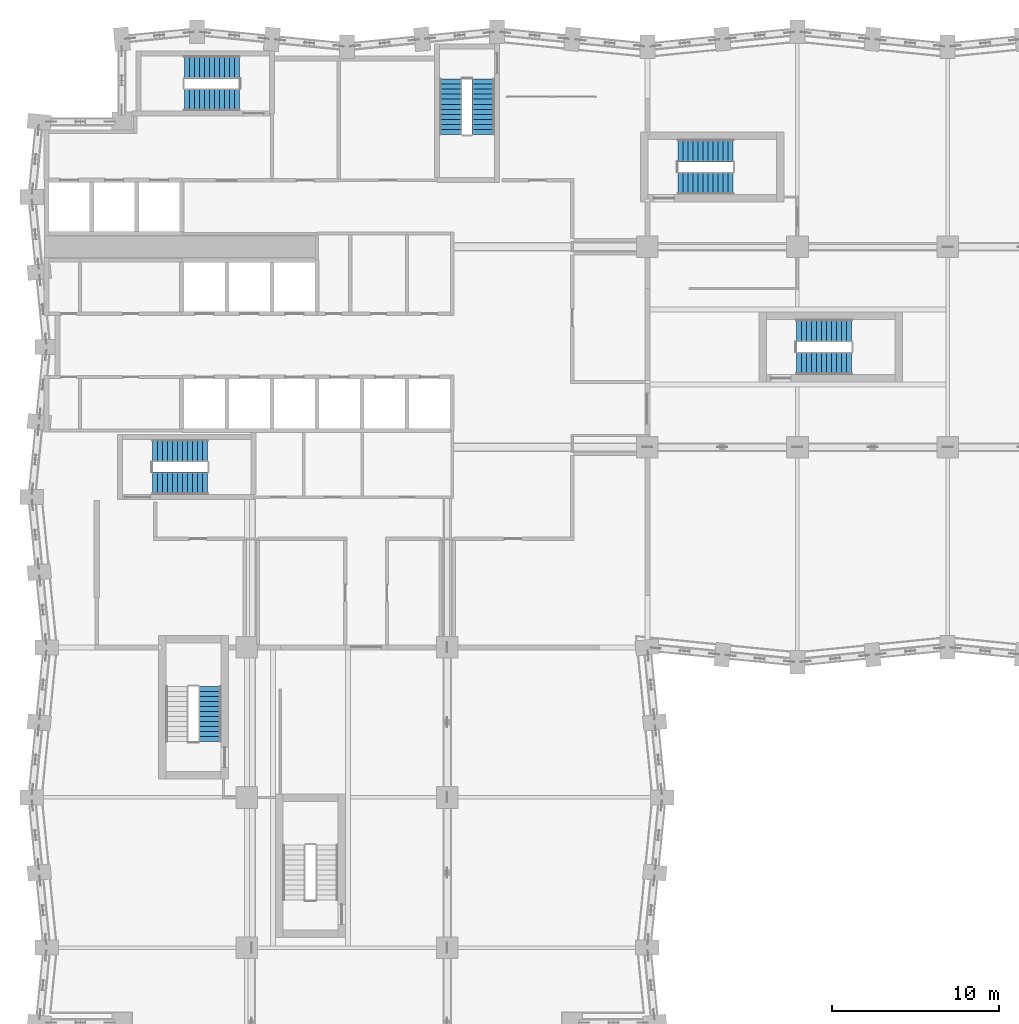
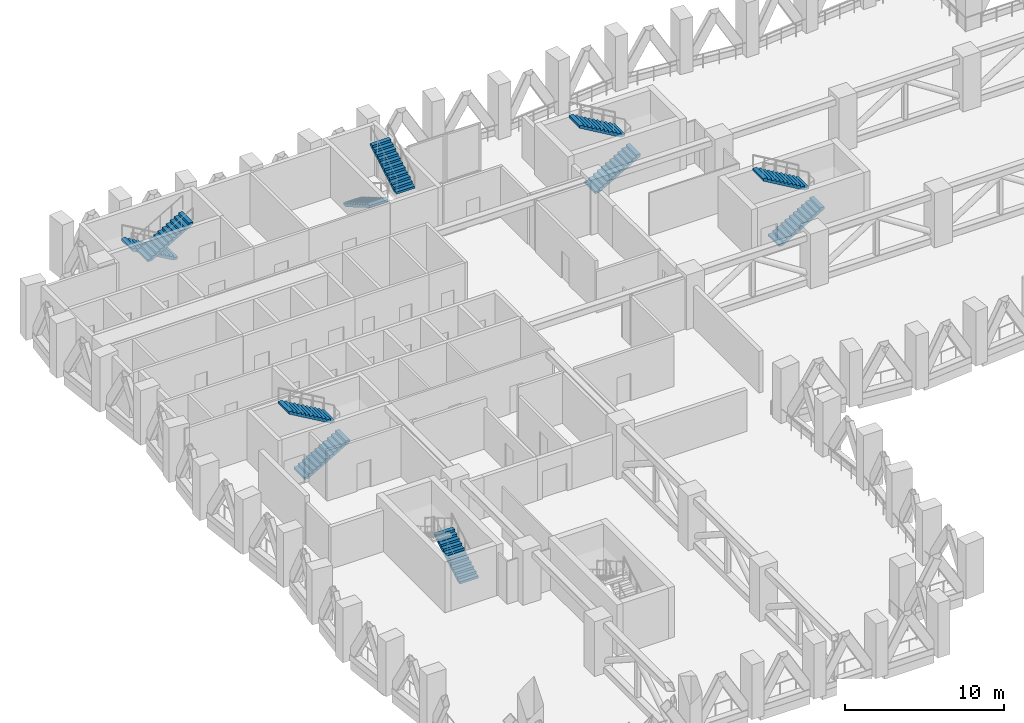
# One storey, part 17 of 25: 11 stair flights, 6 elements without a shape of their own.
"""IFC4 building model written with IfcOpenShell, lengths in metres."""

from ifc_helpers import new_model, si_unit, direction, frame, origin, place, context, subcontext, project, spatial, polyline, outline, extrude, material, type_object, element, aggregate, save


model = new_model("IFC4")

# Units and contexts
model_context = context("Model", 3, precision=1e-05, world=origin(), true_north=direction((0.0, 1.0)))
body_context = subcontext(model_context, "Body", "Model", "MODEL_VIEW")
ifc_project = project(units=[si_unit("LENGTHUNIT", "METRE"), si_unit("AREAUNIT", "SQUARE_METRE"), si_unit("VOLUMEUNIT", "CUBIC_METRE"), si_unit("PLANEANGLEUNIT", "RADIAN"), si_unit("MASSUNIT", "GRAM", prefix="KILO")], contexts=[model_context])

# Site, building, storey
site_placement = place(None, origin())
site = spatial("IfcSite", under=ifc_project, at=site_placement, CompositionType="ELEMENT")
building_placement = place(site_placement, origin())
building = spatial("IfcBuilding", under=site, at=building_placement, Name="Brondeck Convention Tower", CompositionType="ELEMENT")
storey_placement = place(building_placement, frame((0.0, 0.0, 84.300048828125)))
storey = spatial("IfcBuildingStorey", under=building, at=storey_placement, Name="L19", CompositionType="ELEMENT", Elevation=84.300048828125)

# Stair, stair flights
ifc_material = material(Name="Precast concrete C50/60", Category="concrete")
stair_type = type_object("IfcStairType", Name="Core stair 24 risers 175.00 mm riser 300 mm going 1350 wide", PredefinedType="HALF_TURN_STAIR", material=ifc_material)
stair_1_placement = place(storey_placement, origin())
stair_1 = element("IfcStair", 1, at=stair_1_placement, inside=storey, type_object=stair_type, Name="ST-1 L19 stair", PredefinedType="HALF_TURN_STAIR")
stair_flight_type = type_object("IfcStairFlightType", Name="Core stair flight 24 risers 175.00 mm riser 300 mm going 1350 wide", PredefinedType="STRAIGHT", material=ifc_material)
stair_flight_1_placement = place(storey_placement, frame((6.35009765625, 36.824951171875, 0.0), z_axis=(0.0, 0.0, 1.0), x_axis=(1.0, 0.0, 0.0)))
stair_flight_1 = element("IfcStairFlight", 2, at=stair_flight_1_placement, type_object=stair_flight_type, Name="ST-1 flight 1", NumberOfRisers=12, NumberOfTreads=11, PredefinedType="STRAIGHT", RiserHeight=0.175, TreadLength=0.3, context=body_context, shape_type="SweptSolid", body=[
    extrude(outline(polyline([(0.0, 0.0), (0.0, 0.175048828125), (0.300048828125, 0.175048828125), (0.300048828125, 0.35009765625), (0.60009765625, 0.35009765625), (0.60009765625, 0.52490234375), (0.89990234375, 0.52490234375), (0.89990234375, 0.699951171875), (1.199951171875, 0.699951171875), (1.199951171875, 0.875), (1.5, 0.875), (1.5, 1.050048828125), (1.800048828125, 1.050048828125), (1.800048828125, 1.22509765625), (2.10009765625, 1.22509765625), (2.10009765625, 1.39990234375), (2.39990234375, 1.39990234375), (2.39990234375, 1.574951171875), (2.699951171875, 1.574951171875), (2.699951171875, 1.75), (3.0, 1.75), (3.0, 1.925048828125), (3.300048828125, 1.925048828125), (3.300048828125, 2.10009765625), (3.300048828125, 1.75146484375), (0.297607421875, 0.0), (0.0, 0.0)])), frame((0.0, 0.675048828125, 0.0), z_axis=(0.0, -1.0, 0.0), x_axis=(1.0, 0.0, 0.0)), (0.0, 0.0, 1.0), 1.35009765625),
])
stair_flight_2_placement = place(storey_placement, frame((9.64990234375, 38.77490234375, 2.099853515625), z_axis=(0.0, 0.0, 1.0), x_axis=(-1.0, 0.0, 0.0)))
stair_flight_2 = element("IfcStairFlight", 3, at=stair_flight_2_placement, type_object=stair_flight_type, Name="ST-1 flight 2", NumberOfRisers=12, NumberOfTreads=11, PredefinedType="STRAIGHT", RiserHeight=0.175, TreadLength=0.3, context=body_context, shape_type="SweptSolid", body=[
    extrude(outline(polyline([(0.0, 0.0), (0.0, 0.175048828125), (0.300048828125, 0.175048828125), (0.300048828125, 0.35009765625), (0.60009765625, 0.35009765625), (0.60009765625, 0.52490234375), (0.89990234375, 0.52490234375), (0.89990234375, 0.699951171875), (1.199951171875, 0.699951171875), (1.199951171875, 0.875), (1.5, 0.875), (1.5, 1.050048828125), (1.800048828125, 1.050048828125), (1.800048828125, 1.22509765625), (2.10009765625, 1.22509765625), (2.10009765625, 1.39990234375), (2.39990234375, 1.39990234375), (2.39990234375, 1.574951171875), (2.699951171875, 1.574951171875), (2.699951171875, 1.75), (3.0, 1.75), (3.0, 1.925048828125), (3.300048828125, 1.925048828125), (3.300048828125, 2.10009765625), (3.300048828125, 1.75146484375), (0.297607421875, 0.0), (0.0, 0.0)])), frame((0.0, 0.675048828125, 0.0), z_axis=(0.0, -1.0, 0.0), x_axis=(1.0, 0.0, 0.0)), (0.0, 0.0, 1.0), 1.35009765625),
])
aggregate(stair_1, [stair_flight_1, stair_flight_2])

stair_2_placement = place(storey_placement, origin())
stair_2 = element("IfcStair", 4, at=stair_2_placement, inside=storey, type_object=stair_type, Name="ST-2 L19 stair", PredefinedType="HALF_TURN_STAIR")
stair_flight_3_placement = place(storey_placement, frame((24.22509765625, 61.050048828125, 0.0), z_axis=(0.0, 0.0, 1.0), x_axis=(0.0, -1.0, 0.0)))
stair_flight_3 = element("IfcStairFlight", 5, at=stair_flight_3_placement, type_object=stair_flight_type, Name="ST-2 flight 1", NumberOfRisers=12, NumberOfTreads=11, PredefinedType="STRAIGHT", RiserHeight=0.175, TreadLength=0.3, context=body_context, shape_type="SweptSolid", body=[
    extrude(outline(polyline([(0.0, 0.0), (0.0, 0.175048828125), (0.300048828125, 0.175048828125), (0.300048828125, 0.35009765625), (0.60009765625, 0.35009765625), (0.60009765625, 0.52490234375), (0.89990234375, 0.52490234375), (0.89990234375, 0.699951171875), (1.199951171875, 0.699951171875), (1.199951171875, 0.875), (1.5, 0.875), (1.5, 1.050048828125), (1.800048828125, 1.050048828125), (1.800048828125, 1.22509765625), (2.10009765625, 1.22509765625), (2.10009765625, 1.39990234375), (2.39990234375, 1.39990234375), (2.39990234375, 1.574951171875), (2.699951171875, 1.574951171875), (2.699951171875, 1.75), (3.0, 1.75), (3.0, 1.925048828125), (3.300048828125, 1.925048828125), (3.300048828125, 2.10009765625), (3.300048828125, 1.75146484375), (0.297607421875, 0.0), (0.0, 0.0)])), frame((0.0, 0.675048828125, 0.0), z_axis=(0.0, -1.0, 0.0), x_axis=(1.0, 0.0, 0.0)), (0.0, 0.0, 1.0), 1.35009765625),
])
stair_flight_4_placement = place(storey_placement, frame((26.175048828125, 57.75, 2.099853515625), z_axis=(0.0, 0.0, 1.0), x_axis=(0.0, 1.0, 0.0)))
stair_flight_4 = element("IfcStairFlight", 6, at=stair_flight_4_placement, type_object=stair_flight_type, Name="ST-2 flight 2", NumberOfRisers=12, NumberOfTreads=11, PredefinedType="STRAIGHT", RiserHeight=0.175, TreadLength=0.3, context=body_context, shape_type="SweptSolid", body=[
    extrude(outline(polyline([(0.0, 0.0), (0.0, 0.175048828125), (0.300048828125, 0.175048828125), (0.300048828125, 0.35009765625), (0.60009765625, 0.35009765625), (0.60009765625, 0.52490234375), (0.89990234375, 0.52490234375), (0.89990234375, 0.699951171875), (1.199951171875, 0.699951171875), (1.199951171875, 0.875), (1.5, 0.875), (1.5, 1.050048828125), (1.800048828125, 1.050048828125), (1.800048828125, 1.22509765625), (2.10009765625, 1.22509765625), (2.10009765625, 1.39990234375), (2.39990234375, 1.39990234375), (2.39990234375, 1.574951171875), (2.699951171875, 1.574951171875), (2.699951171875, 1.75), (3.0, 1.75), (3.0, 1.925048828125), (3.300048828125, 1.925048828125), (3.300048828125, 2.10009765625), (3.300048828125, 1.75146484375), (0.297607421875, 0.0), (0.0, 0.0)])), frame((0.0, 0.675048828125, 0.0), z_axis=(0.0, -1.0, 0.0), x_axis=(1.0, 0.0, 0.0)), (0.0, 0.0, 1.0), 1.35009765625),
])
aggregate(stair_2, [stair_flight_3, stair_flight_4])

stair_3_placement = place(storey_placement, origin())
stair_3 = element("IfcStair", 7, at=stair_3_placement, inside=storey, type_object=stair_type, Name="ST-3 L19 stair", PredefinedType="HALF_TURN_STAIR")
stair_flight_5_placement = place(storey_placement, frame((11.550048828125, 61.77490234375, 0.0), z_axis=(0.0, 0.0, 1.0), x_axis=(-1.0, 0.0, 0.0)))
stair_flight_5 = element("IfcStairFlight", 8, at=stair_flight_5_placement, type_object=stair_flight_type, Name="ST-3 flight 1", NumberOfRisers=12, NumberOfTreads=11, PredefinedType="STRAIGHT", RiserHeight=0.175, TreadLength=0.3, context=body_context, shape_type="SweptSolid", body=[
    extrude(outline(polyline([(0.0, 0.0), (0.0, 0.175048828125), (0.300048828125, 0.175048828125), (0.300048828125, 0.35009765625), (0.60009765625, 0.35009765625), (0.60009765625, 0.52490234375), (0.89990234375, 0.52490234375), (0.89990234375, 0.699951171875), (1.199951171875, 0.699951171875), (1.199951171875, 0.875), (1.5, 0.875), (1.5, 1.050048828125), (1.800048828125, 1.050048828125), (1.800048828125, 1.22509765625), (2.10009765625, 1.22509765625), (2.10009765625, 1.39990234375), (2.39990234375, 1.39990234375), (2.39990234375, 1.574951171875), (2.699951171875, 1.574951171875), (2.699951171875, 1.75), (3.0, 1.75), (3.0, 1.925048828125), (3.300048828125, 1.925048828125), (3.300048828125, 2.10009765625), (3.300048828125, 1.75146484375), (0.297607421875, 0.0), (0.0, 0.0)])), frame((0.0, 0.675048828125, 0.0), z_axis=(0.0, -1.0, 0.0), x_axis=(1.0, 0.0, 0.0)), (0.0, 0.0, 1.0), 1.35009765625),
])
stair_flight_6_placement = place(storey_placement, frame((8.25, 59.824951171875, 2.099853515625), z_axis=(0.0, 0.0, 1.0), x_axis=(1.0, 0.0, 0.0)))
stair_flight_6 = element("IfcStairFlight", 9, at=stair_flight_6_placement, type_object=stair_flight_type, Name="ST-3 flight 2", NumberOfRisers=12, NumberOfTreads=11, PredefinedType="STRAIGHT", RiserHeight=0.175, TreadLength=0.3, context=body_context, shape_type="SweptSolid", body=[
    extrude(outline(polyline([(0.0, 0.0), (0.0, 0.175048828125), (0.300048828125, 0.175048828125), (0.300048828125, 0.35009765625), (0.60009765625, 0.35009765625), (0.60009765625, 0.52490234375), (0.89990234375, 0.52490234375), (0.89990234375, 0.699951171875), (1.199951171875, 0.699951171875), (1.199951171875, 0.875), (1.5, 0.875), (1.5, 1.050048828125), (1.800048828125, 1.050048828125), (1.800048828125, 1.22509765625), (2.10009765625, 1.22509765625), (2.10009765625, 1.39990234375), (2.39990234375, 1.39990234375), (2.39990234375, 1.574951171875), (2.699951171875, 1.574951171875), (2.699951171875, 1.75), (3.0, 1.75), (3.0, 1.925048828125), (3.300048828125, 1.925048828125), (3.300048828125, 2.10009765625), (3.300048828125, 1.75146484375), (0.297607421875, 0.0), (0.0, 0.0)])), frame((0.0, 0.675048828125, 0.0), z_axis=(0.0, -1.0, 0.0), x_axis=(1.0, 0.0, 0.0)), (0.0, 0.0, 1.0), 1.35009765625),
])
aggregate(stair_3, [stair_flight_5, stair_flight_6])

stair_4_placement = place(storey_placement, origin())
stair_4 = element("IfcStair", 10, at=stair_4_placement, inside=storey, type_object=stair_type, Name="ST-AE L19 stair", PredefinedType="HALF_TURN_STAIR")
stair_flight_7_placement = place(storey_placement, frame((37.85009765625, 54.824951171875, 0.0), z_axis=(0.0, 0.0, 1.0), x_axis=(1.0, 0.0, 0.0)))
stair_flight_7 = element("IfcStairFlight", 11, at=stair_flight_7_placement, type_object=stair_flight_type, Name="ST-AE flight 1", NumberOfRisers=12, NumberOfTreads=11, PredefinedType="STRAIGHT", RiserHeight=0.175, TreadLength=0.3, context=body_context, shape_type="SweptSolid", body=[
    extrude(outline(polyline([(0.0, 0.0), (0.0, 0.175048828125), (0.300048828125, 0.175048828125), (0.300048828125, 0.35009765625), (0.60009765625, 0.35009765625), (0.60009765625, 0.52490234375), (0.89990234375, 0.52490234375), (0.89990234375, 0.699951171875), (1.199951171875, 0.699951171875), (1.199951171875, 0.875), (1.5, 0.875), (1.5, 1.050048828125), (1.800048828125, 1.050048828125), (1.800048828125, 1.22509765625), (2.10009765625, 1.22509765625), (2.10009765625, 1.39990234375), (2.39990234375, 1.39990234375), (2.39990234375, 1.574951171875), (2.699951171875, 1.574951171875), (2.699951171875, 1.75), (3.0, 1.75), (3.0, 1.925048828125), (3.300048828125, 1.925048828125), (3.300048828125, 2.10009765625), (3.300048828125, 1.75146484375), (0.297607421875, 0.0), (0.0, 0.0)])), frame((0.0, 0.675048828125, 0.0), z_axis=(0.0, -1.0, 0.0), x_axis=(1.0, 0.0, 0.0)), (0.0, 0.0, 1.0), 1.35009765625),
])
stair_flight_8_placement = place(storey_placement, frame((41.14990234375, 56.77490234375, 2.099853515625), z_axis=(0.0, 0.0, 1.0), x_axis=(-1.0, 0.0, 0.0)))
stair_flight_8 = element("IfcStairFlight", 12, at=stair_flight_8_placement, type_object=stair_flight_type, Name="ST-AE flight 2", NumberOfRisers=12, NumberOfTreads=11, PredefinedType="STRAIGHT", RiserHeight=0.175, TreadLength=0.3, context=body_context, shape_type="SweptSolid", body=[
    extrude(outline(polyline([(0.0, 0.0), (0.0, 0.175048828125), (0.300048828125, 0.175048828125), (0.300048828125, 0.35009765625), (0.60009765625, 0.35009765625), (0.60009765625, 0.52490234375), (0.89990234375, 0.52490234375), (0.89990234375, 0.699951171875), (1.199951171875, 0.699951171875), (1.199951171875, 0.875), (1.5, 0.875), (1.5, 1.050048828125), (1.800048828125, 1.050048828125), (1.800048828125, 1.22509765625), (2.10009765625, 1.22509765625), (2.10009765625, 1.39990234375), (2.39990234375, 1.39990234375), (2.39990234375, 1.574951171875), (2.699951171875, 1.574951171875), (2.699951171875, 1.75), (3.0, 1.75), (3.0, 1.925048828125), (3.300048828125, 1.925048828125), (3.300048828125, 2.10009765625), (3.300048828125, 1.75146484375), (0.297607421875, 0.0), (0.0, 0.0)])), frame((0.0, 0.675048828125, 0.0), z_axis=(0.0, -1.0, 0.0), x_axis=(1.0, 0.0, 0.0)), (0.0, 0.0, 1.0), 1.35009765625),
])
aggregate(stair_4, [stair_flight_7, stair_flight_8])

# Stair, stair flight
stair_5_placement = place(storey_placement, origin())
stair_5 = element("IfcStair", 13, at=stair_5_placement, inside=storey, type_object=stair_type, Name="ST-BE L19 stair", PredefinedType="HALF_TURN_STAIR")
stair_flight_9_placement = place(storey_placement, frame((9.77490234375, 21.35009765625, 0.0), z_axis=(0.0, 0.0, 1.0), x_axis=(0.0, 1.0, 0.0)))
stair_flight_9 = element("IfcStairFlight", 14, at=stair_flight_9_placement, type_object=stair_flight_type, Name="ST-BE flight 1", NumberOfRisers=12, NumberOfTreads=11, PredefinedType="STRAIGHT", RiserHeight=0.175, TreadLength=0.3, context=body_context, shape_type="SweptSolid", body=[
    extrude(outline(polyline([(0.0, 0.0), (0.0, 0.175048828125), (0.300048828125, 0.175048828125), (0.300048828125, 0.35009765625), (0.60009765625, 0.35009765625), (0.60009765625, 0.52490234375), (0.89990234375, 0.52490234375), (0.89990234375, 0.699951171875), (1.199951171875, 0.699951171875), (1.199951171875, 0.875), (1.5, 0.875), (1.5, 1.050048828125), (1.800048828125, 1.050048828125), (1.800048828125, 1.22509765625), (2.10009765625, 1.22509765625), (2.10009765625, 1.39990234375), (2.39990234375, 1.39990234375), (2.39990234375, 1.574951171875), (2.699951171875, 1.574951171875), (2.699951171875, 1.75), (3.0, 1.75), (3.0, 1.925048828125), (3.300048828125, 1.925048828125), (3.300048828125, 2.10009765625), (3.300048828125, 1.75146484375), (0.297607421875, 0.0), (0.0, 0.0)])), frame((0.0, 0.675048828125, 0.0), z_axis=(0.0, -1.0, 0.0), x_axis=(1.0, 0.0, 0.0)), (0.0, 0.0, 1.0), 1.35009765625),
])
aggregate(stair_5, [stair_flight_9])

# Stair, stair flights
stair_6_placement = place(storey_placement, origin())
stair_6 = element("IfcStair", 15, at=stair_6_placement, inside=storey, type_object=stair_type, Name="ST-AF L19 stair", PredefinedType="HALF_TURN_STAIR")
stair_flight_10_placement = place(storey_placement, frame((44.949951171875, 44.02490234375, 0.0), z_axis=(0.0, 0.0, 1.0), x_axis=(1.0, 0.0, 0.0)))
stair_flight_10 = element("IfcStairFlight", 16, at=stair_flight_10_placement, type_object=stair_flight_type, Name="ST-AF flight 1", NumberOfRisers=12, NumberOfTreads=11, PredefinedType="STRAIGHT", RiserHeight=0.175, TreadLength=0.3, context=body_context, shape_type="SweptSolid", body=[
    extrude(outline(polyline([(0.0, 0.0), (0.0, 0.175048828125), (0.300048828125, 0.175048828125), (0.300048828125, 0.35009765625), (0.60009765625, 0.35009765625), (0.60009765625, 0.52490234375), (0.89990234375, 0.52490234375), (0.89990234375, 0.699951171875), (1.199951171875, 0.699951171875), (1.199951171875, 0.875), (1.5, 0.875), (1.5, 1.050048828125), (1.800048828125, 1.050048828125), (1.800048828125, 1.22509765625), (2.10009765625, 1.22509765625), (2.10009765625, 1.39990234375), (2.39990234375, 1.39990234375), (2.39990234375, 1.574951171875), (2.699951171875, 1.574951171875), (2.699951171875, 1.75), (3.0, 1.75), (3.0, 1.925048828125), (3.300048828125, 1.925048828125), (3.300048828125, 2.10009765625), (3.300048828125, 1.75146484375), (0.297607421875, 0.0), (0.0, 0.0)])), frame((0.0, 0.675048828125, 0.0), z_axis=(0.0, -1.0, 0.0), x_axis=(1.0, 0.0, 0.0)), (0.0, 0.0, 1.0), 1.35009765625),
])
stair_flight_11_placement = place(storey_placement, frame((48.25, 45.97509765625, 2.099853515625), z_axis=(0.0, 0.0, 1.0), x_axis=(-1.0, 0.0, 0.0)))
stair_flight_11 = element("IfcStairFlight", 17, at=stair_flight_11_placement, type_object=stair_flight_type, Name="ST-AF flight 2", NumberOfRisers=12, NumberOfTreads=11, PredefinedType="STRAIGHT", RiserHeight=0.175, TreadLength=0.3, context=body_context, shape_type="SweptSolid", body=[
    extrude(outline(polyline([(0.0, 0.0), (0.0, 0.175048828125), (0.300048828125, 0.175048828125), (0.300048828125, 0.35009765625), (0.60009765625, 0.35009765625), (0.60009765625, 0.52490234375), (0.89990234375, 0.52490234375), (0.89990234375, 0.699951171875), (1.199951171875, 0.699951171875), (1.199951171875, 0.875), (1.5, 0.875), (1.5, 1.050048828125), (1.800048828125, 1.050048828125), (1.800048828125, 1.22509765625), (2.10009765625, 1.22509765625), (2.10009765625, 1.39990234375), (2.39990234375, 1.39990234375), (2.39990234375, 1.574951171875), (2.699951171875, 1.574951171875), (2.699951171875, 1.75), (3.0, 1.75), (3.0, 1.925048828125), (3.300048828125, 1.925048828125), (3.300048828125, 2.10009765625), (3.300048828125, 1.75146484375), (0.297607421875, 0.0), (0.0, 0.0)])), frame((0.0, 0.675048828125, 0.0), z_axis=(0.0, -1.0, 0.0), x_axis=(1.0, 0.0, 0.0)), (0.0, 0.0, 1.0), 1.35009765625),
])
aggregate(stair_6, [stair_flight_10, stair_flight_11])

save(model, "model.ifc")
